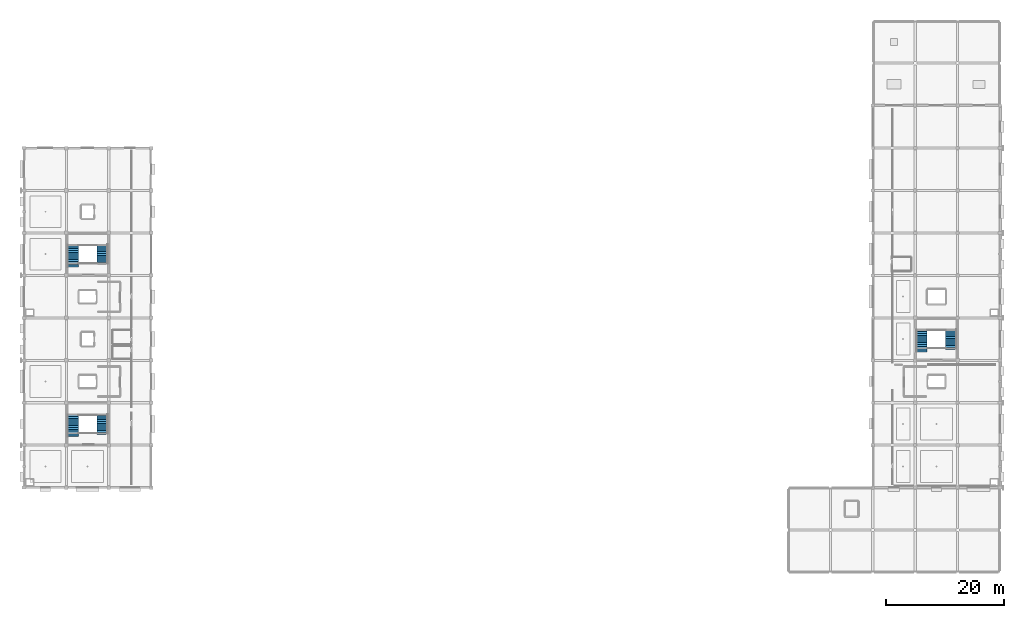
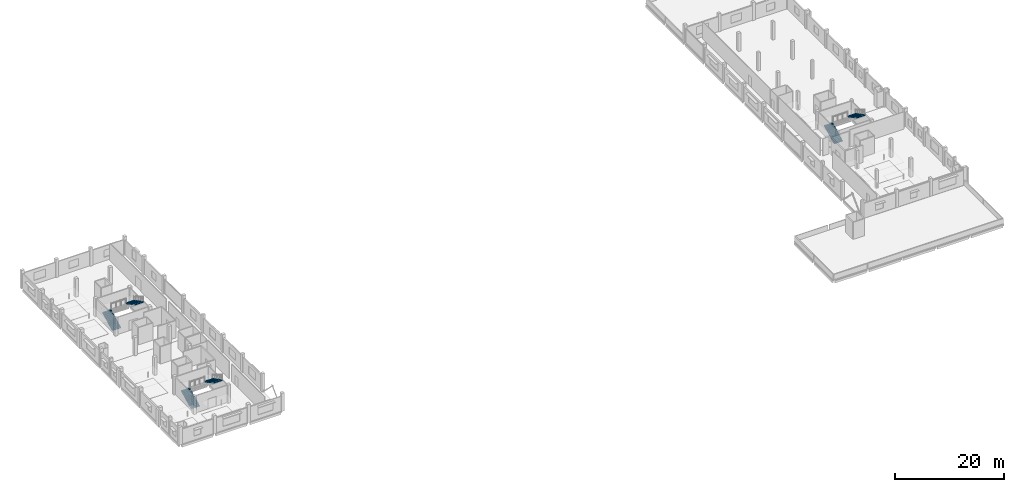
# One storey, part 20 of 26: 6 stair flights, 3 elements without a shape of their own.
"""IFC4 building model written with IfcOpenShell, lengths in metres."""

from ifc_helpers import new_model, si_unit, direction, frame, origin, place, context, subcontext, project, spatial, polyline, outline, extrude, material, type_object, element, aggregate, save


model = new_model("IFC4")

# Units and contexts
model_context = context("Model", 3, precision=1e-05, world=origin(), true_north=direction((0.0, 1.0)))
body_context = subcontext(model_context, "Body", "Model", "MODEL_VIEW")
ifc_project = project(units=[si_unit("LENGTHUNIT", "METRE"), si_unit("AREAUNIT", "SQUARE_METRE"), si_unit("VOLUMEUNIT", "CUBIC_METRE"), si_unit("PLANEANGLEUNIT", "RADIAN"), si_unit("MASSUNIT", "GRAM", prefix="KILO")], contexts=[model_context])

# Site, building, storey
site_placement = place(None, origin())
site = spatial("IfcSite", under=ifc_project, at=site_placement, CompositionType="ELEMENT")
building_placement = place(site_placement, origin())
building = spatial("IfcBuilding", under=site, at=building_placement, Name="Kangsadwip Square Police Headquarters", CompositionType="ELEMENT")
storey_placement = place(building_placement, frame((0.0, 0.0, 25.64990234375)))
storey = spatial("IfcBuildingStorey", under=building, at=storey_placement, Name="L06", CompositionType="ELEMENT", Elevation=25.64990234375)

# Stair, stair flight
ifc_material_1 = material(Name="Concrete M35 (35 MPa)", Category="concrete")
stair_type = type_object("IfcStairType", Name="Stair2FlightTypW1850", PredefinedType="HALF_TURN_STAIR", material=ifc_material_1)
stair_1_placement = place(storey_placement, origin())
stair_1 = element("IfcStair", 1, at=stair_1_placement, inside=storey, type_object=stair_type, Name="Protected Stair ST-01 L06", PredefinedType="HALF_TURN_STAIR")
ifc_material_2 = material(Name="Concrete M35 (35 MPa)", Category="concrete")
stair_flight_type_1 = type_object("IfcStairFlightType", Name="Flight12RTypW1850", PredefinedType="STRAIGHT", material=ifc_material_2)
stair_flight_1_placement = place(storey_placement, frame((13.294921875, 48.4599609375, 2.106201171875), z_axis=(0.0, 0.0, 1.0), x_axis=(0.0, -1.0, 0.0)))
stair_flight_1 = element("IfcStairFlight", 2, at=stair_flight_1_placement, type_object=stair_flight_type_1, Name="ST-01 flight 2", NumberOfRisers=12, NumberOfTreads=11, PredefinedType="STRAIGHT", RiserHeight=0.162, TreadLength=0.31, context=body_context, shape_type="SweptSolid", body=[
    extrude(outline(polyline([(0.0, 0.0), (0.0, 0.162109375), (0.31005859375, 0.162109375), (0.31005859375, 0.323974609375), (0.6201171875, 0.323974609375), (0.6201171875, 0.486083984375), (0.929931640625, 0.486083984375), (0.929931640625, 0.64794921875), (1.239990234375, 0.64794921875), (1.239990234375, 0.81005859375), (1.550048828125, 0.81005859375), (1.550048828125, 0.971923828125), (1.860107421875, 0.971923828125), (1.860107421875, 1.134033203125), (2.169921875, 1.134033203125), (2.169921875, 1.2958984375), (2.47998046875, 1.2958984375), (2.47998046875, 1.4580078125), (2.7900390625, 1.4580078125), (2.7900390625, 1.6201171875), (3.10009765625, 1.6201171875), (3.10009765625, 1.781982421875), (3.409912109375, 1.781982421875), (3.409912109375, 1.944091796875), (3.409912109375, 1.6015625), (0.34521484375, 0.0), (0.0, 0.0)])), frame((0.0, 0.925048828125, 0.0), z_axis=(0.0, -1.0, 0.0), x_axis=(1.0, 0.0, 0.0)), (0.0, 0.0, 1.0), 1.85009765625),
])

stair_2_placement = place(storey_placement, origin())
stair_2 = element("IfcStair", 3, at=stair_2_placement, inside=storey, type_object=stair_type, Name="Protected Stair ST-02 L06", PredefinedType="HALF_TURN_STAIR")
stair_flight_2_placement = place(storey_placement, frame((13.294921875, 77.260009765625, 2.106201171875), z_axis=(0.0, 0.0, 1.0), x_axis=(0.0, -1.0, 0.0)))
stair_flight_2 = element("IfcStairFlight", 4, at=stair_flight_2_placement, type_object=stair_flight_type_1, Name="ST-02 flight 2", NumberOfRisers=12, NumberOfTreads=11, PredefinedType="STRAIGHT", RiserHeight=0.162, TreadLength=0.31, context=body_context, shape_type="SweptSolid", body=[
    extrude(outline(polyline([(0.0, 0.0), (0.0, 0.162109375), (0.31005859375, 0.162109375), (0.31005859375, 0.323974609375), (0.6201171875, 0.323974609375), (0.6201171875, 0.486083984375), (0.929931640625, 0.486083984375), (0.929931640625, 0.64794921875), (1.239990234375, 0.64794921875), (1.239990234375, 0.81005859375), (1.550048828125, 0.81005859375), (1.550048828125, 0.971923828125), (1.860107421875, 0.971923828125), (1.860107421875, 1.134033203125), (2.169921875, 1.134033203125), (2.169921875, 1.2958984375), (2.47998046875, 1.2958984375), (2.47998046875, 1.4580078125), (2.7900390625, 1.4580078125), (2.7900390625, 1.6201171875), (3.10009765625, 1.6201171875), (3.10009765625, 1.781982421875), (3.409912109375, 1.781982421875), (3.409912109375, 1.944091796875), (3.409912109375, 1.6015625), (0.34521484375, 0.0), (0.0, 0.0)])), frame((0.0, 0.925048828125, 0.0), z_axis=(0.0, -1.0, 0.0), x_axis=(1.0, 0.0, 0.0)), (0.0, 0.0, 1.0), 1.85009765625),
])

stair_3_placement = place(storey_placement, origin())
stair_3 = element("IfcStair", 5, at=stair_3_placement, inside=storey, type_object=stair_type, Name="Protected Stair ST-03 L06", PredefinedType="HALF_TURN_STAIR")
stair_flight_3_placement = place(storey_placement, frame((157.294921875, 62.860107421875, 2.106201171875), z_axis=(0.0, 0.0, 1.0), x_axis=(0.0, -1.0, 0.0)))
stair_flight_3 = element("IfcStairFlight", 6, at=stair_flight_3_placement, type_object=stair_flight_type_1, Name="ST-03 flight 2", NumberOfRisers=12, NumberOfTreads=11, PredefinedType="STRAIGHT", RiserHeight=0.162, TreadLength=0.31, context=body_context, shape_type="SweptSolid", body=[
    extrude(outline(polyline([(0.0, 0.0), (0.0, 0.162109375), (0.31005859375, 0.162109375), (0.31005859375, 0.323974609375), (0.6201171875, 0.323974609375), (0.6201171875, 0.486083984375), (0.929931640625, 0.486083984375), (0.929931640625, 0.64794921875), (1.239990234375, 0.64794921875), (1.239990234375, 0.81005859375), (1.550048828125, 0.81005859375), (1.550048828125, 0.971923828125), (1.860107421875, 0.971923828125), (1.860107421875, 1.134033203125), (2.169921875, 1.134033203125), (2.169921875, 1.2958984375), (2.47998046875, 1.2958984375), (2.47998046875, 1.4580078125), (2.7900390625, 1.4580078125), (2.7900390625, 1.6201171875), (3.10009765625, 1.6201171875), (3.10009765625, 1.781982421875), (3.409912109375, 1.781982421875), (3.409912109375, 1.944091796875), (3.409912109375, 1.6015625), (0.34521484375, 0.0), (0.0, 0.0)])), frame((0.0, 0.925048828125, 0.0), z_axis=(0.0, -1.0, 0.0), x_axis=(1.0, 0.0, 0.0)), (0.0, 0.0, 1.0), 1.85009765625),
])

# Stair flight
ifc_material_3 = material(Name="Concrete M35 (35 MPa)", Category="concrete")
stair_flight_type_2 = type_object("IfcStairFlightType", Name="Flight13RTypW1850", PredefinedType="STRAIGHT", material=ifc_material_3)
stair_flight_4_placement = place(storey_placement, frame((8.304931640625, 44.639892578125, 0.0), z_axis=(0.0, 0.0, 1.0), x_axis=(0.0, 1.0, 0.0)))
stair_flight_4 = element("IfcStairFlight", 7, at=stair_flight_4_placement, type_object=stair_flight_type_2, Name="ST-01 flight 1", NumberOfRisers=13, NumberOfTreads=12, PredefinedType="STRAIGHT", RiserHeight=0.162, TreadLength=0.31, context=body_context, shape_type="SweptSolid", body=[
    extrude(outline(polyline([(0.0, 0.0), (0.0, 0.162109375), (0.31005859375, 0.162109375), (0.31005859375, 0.323974609375), (0.6201171875, 0.323974609375), (0.6201171875, 0.486083984375), (0.929931640625, 0.486083984375), (0.929931640625, 0.64794921875), (1.239990234375, 0.64794921875), (1.239990234375, 0.81005859375), (1.550048828125, 0.81005859375), (1.550048828125, 0.971923828125), (1.860107421875, 0.971923828125), (1.860107421875, 1.134033203125), (2.169921875, 1.134033203125), (2.169921875, 1.2958984375), (2.47998046875, 1.2958984375), (2.47998046875, 1.4580078125), (2.7900390625, 1.4580078125), (2.7900390625, 1.6201171875), (3.10009765625, 1.6201171875), (3.10009765625, 1.781982421875), (3.409912109375, 1.781982421875), (3.409912109375, 1.944091796875), (3.719970703125, 1.944091796875), (3.719970703125, 2.10595703125), (3.719970703125, 1.763671875), (0.34521484375, 0.0), (0.0, 0.0)])), frame((0.0, 0.925048828125, 0.0), z_axis=(0.0, -1.0, 0.0), x_axis=(1.0, 0.0, 0.0)), (0.0, 0.0, 1.0), 1.85009765625),
])

aggregate(stair_1, [stair_flight_4, stair_flight_1])

stair_flight_5_placement = place(storey_placement, frame((8.304931640625, 73.43994140625, 0.0), z_axis=(0.0, 0.0, 1.0), x_axis=(0.0, 1.0, 0.0)))
stair_flight_5 = element("IfcStairFlight", 8, at=stair_flight_5_placement, type_object=stair_flight_type_2, Name="ST-02 flight 1", NumberOfRisers=13, NumberOfTreads=12, PredefinedType="STRAIGHT", RiserHeight=0.162, TreadLength=0.31, context=body_context, shape_type="SweptSolid", body=[
    extrude(outline(polyline([(0.0, 0.0), (0.0, 0.162109375), (0.31005859375, 0.162109375), (0.31005859375, 0.323974609375), (0.6201171875, 0.323974609375), (0.6201171875, 0.486083984375), (0.929931640625, 0.486083984375), (0.929931640625, 0.64794921875), (1.239990234375, 0.64794921875), (1.239990234375, 0.81005859375), (1.550048828125, 0.81005859375), (1.550048828125, 0.971923828125), (1.860107421875, 0.971923828125), (1.860107421875, 1.134033203125), (2.169921875, 1.134033203125), (2.169921875, 1.2958984375), (2.47998046875, 1.2958984375), (2.47998046875, 1.4580078125), (2.7900390625, 1.4580078125), (2.7900390625, 1.6201171875), (3.10009765625, 1.6201171875), (3.10009765625, 1.781982421875), (3.409912109375, 1.781982421875), (3.409912109375, 1.944091796875), (3.719970703125, 1.944091796875), (3.719970703125, 2.10595703125), (3.719970703125, 1.763671875), (0.34521484375, 0.0), (0.0, 0.0)])), frame((0.0, 0.925048828125, 0.0), z_axis=(0.0, -1.0, 0.0), x_axis=(1.0, 0.0, 0.0)), (0.0, 0.0, 1.0), 1.85009765625),
])

aggregate(stair_2, [stair_flight_5, stair_flight_2])

stair_flight_6_placement = place(storey_placement, frame((152.304931640625, 59.0400390625, 0.0), z_axis=(0.0, 0.0, 1.0), x_axis=(0.0, 1.0, 0.0)))
stair_flight_6 = element("IfcStairFlight", 9, at=stair_flight_6_placement, type_object=stair_flight_type_2, Name="ST-03 flight 1", NumberOfRisers=13, NumberOfTreads=12, PredefinedType="STRAIGHT", RiserHeight=0.162, TreadLength=0.31, context=body_context, shape_type="SweptSolid", body=[
    extrude(outline(polyline([(0.0, 0.0), (0.0, 0.162109375), (0.31005859375, 0.162109375), (0.31005859375, 0.323974609375), (0.6201171875, 0.323974609375), (0.6201171875, 0.486083984375), (0.929931640625, 0.486083984375), (0.929931640625, 0.64794921875), (1.239990234375, 0.64794921875), (1.239990234375, 0.81005859375), (1.550048828125, 0.81005859375), (1.550048828125, 0.971923828125), (1.860107421875, 0.971923828125), (1.860107421875, 1.134033203125), (2.169921875, 1.134033203125), (2.169921875, 1.2958984375), (2.47998046875, 1.2958984375), (2.47998046875, 1.4580078125), (2.7900390625, 1.4580078125), (2.7900390625, 1.6201171875), (3.10009765625, 1.6201171875), (3.10009765625, 1.781982421875), (3.409912109375, 1.781982421875), (3.409912109375, 1.944091796875), (3.719970703125, 1.944091796875), (3.719970703125, 2.10595703125), (3.719970703125, 1.763671875), (0.34521484375, 0.0), (0.0, 0.0)])), frame((0.0, 0.925048828125, 0.0), z_axis=(0.0, -1.0, 0.0), x_axis=(1.0, 0.0, 0.0)), (0.0, 0.0, 1.0), 1.85009765625),
])

aggregate(stair_3, [stair_flight_6, stair_flight_3])

save(model, "model.ifc")
